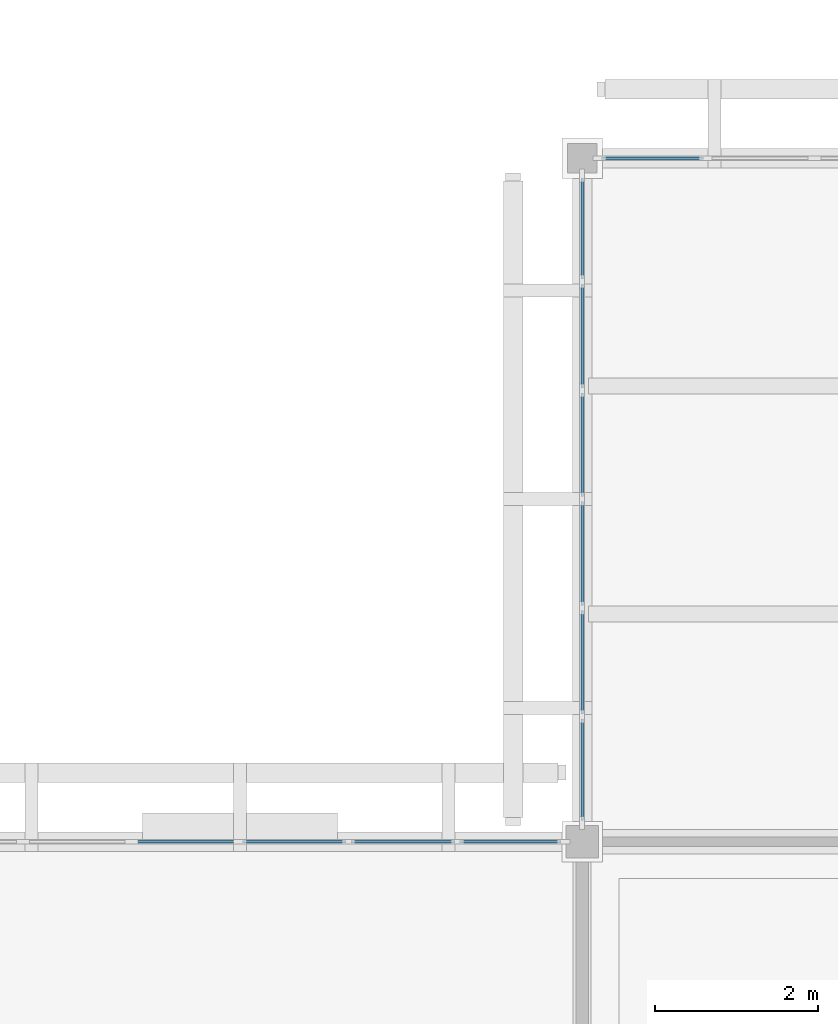
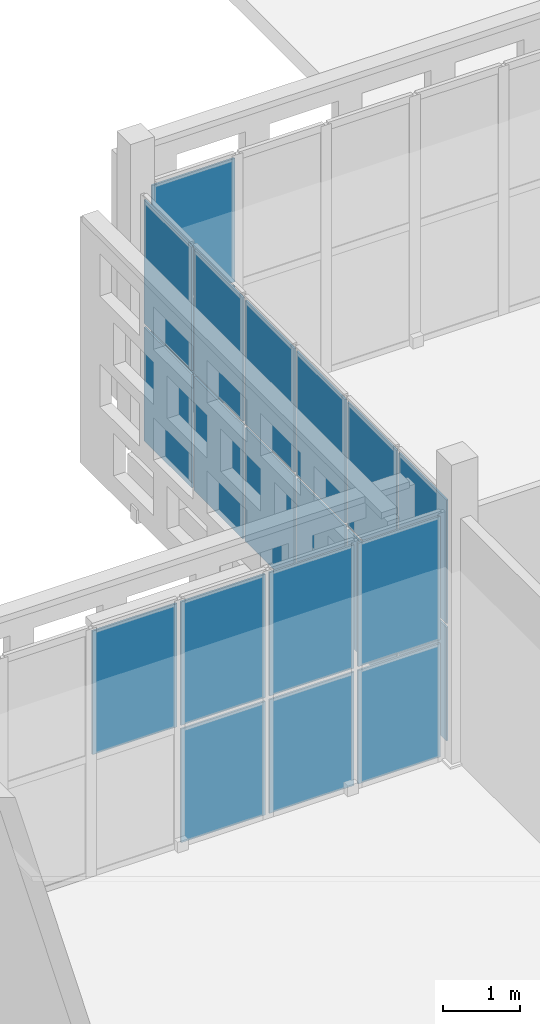
# One storey, part 93 of 203: 21 plates, 3 elements without a shape of their own.
"""IFC4 building model written with IfcOpenShell, lengths in metres."""

from ifc_helpers import new_model, si_unit, direction, frame, origin, origin_2d, place, context, subcontext, project, spatial, rectangle, extrude, material, layer, layer_set, type_object, element, aggregate, save


model = new_model("IFC4")

# Units and contexts
model_context = context("Model", 3, precision=1e-05, world=origin(), true_north=direction((0.0, 1.0)))
body_context = subcontext(model_context, "Body", "Model", "MODEL_VIEW")
ifc_project = project(units=[si_unit("LENGTHUNIT", "METRE"), si_unit("AREAUNIT", "SQUARE_METRE"), si_unit("VOLUMEUNIT", "CUBIC_METRE"), si_unit("PLANEANGLEUNIT", "RADIAN"), si_unit("MASSUNIT", "GRAM", prefix="KILO")], contexts=[model_context])

# Site, building, storey
site_placement = place(None, origin())
site = spatial("IfcSite", under=ifc_project, at=site_placement, CompositionType="ELEMENT")
building_placement = place(site_placement, origin())
building = spatial("IfcBuilding", under=site, at=building_placement, Name="Varnapada Polytechnic", CompositionType="ELEMENT")
storey_placement = place(building_placement, frame((0.0, 0.0, 4.800048828125)))
storey = spatial("IfcBuildingStorey", under=building, at=storey_placement, Name="L01", CompositionType="ELEMENT", Elevation=4.800048828125)

# Curtain wall, plates
ifc_material = material(Name="Double low-E laminated glass", Category="glass")
ifc_layer_1 = layer(ifc_material, 0.159912109375)
ifc_layer_set_1 = layer_set([ifc_layer_1], Name="Double low-E laminated glass")
curtain_wall_type = type_object("IfcCurtainWallType", Name="Curtain Wall CW-01", PredefinedType="NOTDEFINED", material=ifc_layer_set_1)
curtain_wall_1_placement = place(storey_placement, origin())
curtain_wall_1 = element("IfcCurtainWall", 1, at=curtain_wall_1_placement, inside=storey, type_object=curtain_wall_type, Name="L01 unitised curtain wall CW-01 (89)", PredefinedType="NOTDEFINED")
ifc_layer_2 = layer(ifc_material, 0.028076171875)
ifc_layer_set_2 = layer_set([ifc_layer_2], Name="Double low-E laminated glass")
plate_type = type_object("IfcPlateType", Name="Curtain Panel PNL-01", PredefinedType="CURTAIN_PANEL", material=ifc_layer_set_2)
plate_1_placement = place(storey_placement, frame((121.12744140625, 42.0, 1.9306640625), z_axis=(0.0, 0.0, 1.0), x_axis=(1.0, 0.0, 0.0)))
plate_1 = element("IfcPlate", 2, at=plate_1_placement, type_object=plate_type, Name="CW-01 panel 3.2", PredefinedType="CURTAIN_PANEL", context=body_context, shape_type="SweptSolid", body=[
    extrude(rectangle(XDim=1.27490234375, YDim=0.028076171875, at=origin_2d()), origin(), (0.0, 0.0, 1.0), 1.96923828125),
])
plate_2_placement = place(storey_placement, frame((122.46240234375, 42.0, 0.06005859375), z_axis=(0.0, 0.0, 1.0), x_axis=(1.0, 0.0, 0.0)))
plate_2 = element("IfcPlate", 3, at=plate_2_placement, type_object=plate_type, Name="CW-01 panel 4.1", PredefinedType="CURTAIN_PANEL", context=body_context, shape_type="SweptSolid", body=[
    extrude(rectangle(XDim=1.27490234375, YDim=0.028076171875, at=origin_2d()), origin(), (0.0, 0.0, 1.0), 1.810791015625),
])
plate_3_placement = place(storey_placement, frame((122.46240234375, 42.0, 1.9306640625), z_axis=(0.0, 0.0, 1.0), x_axis=(1.0, 0.0, 0.0)))
plate_3 = element("IfcPlate", 4, at=plate_3_placement, type_object=plate_type, Name="CW-01 panel 4.2", PredefinedType="CURTAIN_PANEL", context=body_context, shape_type="SweptSolid", body=[
    extrude(rectangle(XDim=1.27490234375, YDim=0.028076171875, at=origin_2d()), origin(), (0.0, 0.0, 1.0), 1.96923828125),
])
plate_4_placement = place(storey_placement, frame((123.797607421875, 42.0, 0.06005859375), z_axis=(0.0, 0.0, 1.0), x_axis=(1.0, 0.0, 0.0)))
plate_4 = element("IfcPlate", 5, at=plate_4_placement, type_object=plate_type, Name="CW-01 panel 5.1", PredefinedType="CURTAIN_PANEL", context=body_context, shape_type="SweptSolid", body=[
    extrude(rectangle(XDim=1.27490234375, YDim=0.028076171875, at=origin_2d()), origin(), (0.0, 0.0, 1.0), 1.810791015625),
])
plate_5_placement = place(storey_placement, frame((123.797607421875, 42.0, 1.9306640625), z_axis=(0.0, 0.0, 1.0), x_axis=(1.0, 0.0, 0.0)))
plate_5 = element("IfcPlate", 6, at=plate_5_placement, type_object=plate_type, Name="CW-01 panel 5.2", PredefinedType="CURTAIN_PANEL", context=body_context, shape_type="SweptSolid", body=[
    extrude(rectangle(XDim=1.27490234375, YDim=0.028076171875, at=origin_2d()), origin(), (0.0, 0.0, 1.0), 1.96923828125),
])
plate_6_placement = place(storey_placement, frame((125.117431640625, 42.0, 0.06005859375), z_axis=(0.0, 0.0, 1.0), x_axis=(1.0, 0.0, 0.0)))
plate_6 = element("IfcPlate", 7, at=plate_6_placement, type_object=plate_type, Name="CW-01 panel 6.1", PredefinedType="CURTAIN_PANEL", context=body_context, shape_type="SweptSolid", body=[
    extrude(rectangle(XDim=1.2451171875, YDim=0.028076171875, at=origin_2d()), origin(), (0.0, 0.0, 1.0), 1.810791015625),
])
plate_7_placement = place(storey_placement, frame((125.117431640625, 42.0, 1.9306640625), z_axis=(0.0, 0.0, 1.0), x_axis=(1.0, 0.0, 0.0)))
plate_7 = element("IfcPlate", 8, at=plate_7_placement, type_object=plate_type, Name="CW-01 panel 6.2", PredefinedType="CURTAIN_PANEL", context=body_context, shape_type="SweptSolid", body=[
    extrude(rectangle(XDim=1.2451171875, YDim=0.028076171875, at=origin_2d()), origin(), (0.0, 0.0, 1.0), 1.96923828125),
])
aggregate(curtain_wall_1, [plate_1, plate_2, plate_3, plate_4, plate_5, plate_6, plate_7])

curtain_wall_2_placement = place(storey_placement, origin())
curtain_wall_2 = element("IfcCurtainWall", 9, at=curtain_wall_2_placement, inside=storey, type_object=curtain_wall_type, Name="L01 unitised curtain wall CW-01 (94)", PredefinedType="NOTDEFINED")
plate_8_placement = place(storey_placement, frame((126.8642578125, 50.39990234375, 0.06005859375), z_axis=(0.0, 0.0, 1.0), x_axis=(1.0, 0.0, 0.0)))
plate_8 = element("IfcPlate", 10, at=plate_8_placement, type_object=plate_type, Name="CW-01 panel 1.1", PredefinedType="CURTAIN_PANEL", context=body_context, shape_type="SweptSolid", body=[
    extrude(rectangle(XDim=1.248291015625, YDim=0.028076171875, at=origin_2d()), origin(), (0.0, 0.0, 1.0), 1.810791015625),
])
plate_9_placement = place(storey_placement, frame((126.8642578125, 50.39990234375, 1.9306640625), z_axis=(0.0, 0.0, 1.0), x_axis=(1.0, 0.0, 0.0)))
plate_9 = element("IfcPlate", 11, at=plate_9_placement, type_object=plate_type, Name="CW-01 panel 1.2", PredefinedType="CURTAIN_PANEL", context=body_context, shape_type="SweptSolid", body=[
    extrude(rectangle(XDim=1.248291015625, YDim=0.028076171875, at=origin_2d()), origin(), (0.0, 0.0, 1.0), 1.96923828125),
])
aggregate(curtain_wall_2, [plate_8, plate_9])

curtain_wall_3_placement = place(storey_placement, origin())
curtain_wall_3 = element("IfcCurtainWall", 12, at=curtain_wall_3_placement, inside=storey, type_object=curtain_wall_type, Name="L01 unitised curtain wall CW-01 (95)", PredefinedType="NOTDEFINED")
plate_10_placement = place(storey_placement, frame((126.0, 42.88330078125, 0.06005859375), z_axis=(0.0, 0.0, 1.0), x_axis=(0.0, 1.0, 0.0)))
plate_10 = element("IfcPlate", 13, at=plate_10_placement, type_object=plate_type, Name="CW-01 panel 1.1", PredefinedType="CURTAIN_PANEL", context=body_context, shape_type="SweptSolid", body=[
    extrude(rectangle(XDim=1.24658203125, YDim=0.028076171875, at=origin_2d()), origin(), (0.0, 0.0, 1.0), 1.810791015625),
])
plate_11_placement = place(storey_placement, frame((126.0, 42.88330078125, 1.9306640625), z_axis=(0.0, 0.0, 1.0), x_axis=(0.0, 1.0, 0.0)))
plate_11 = element("IfcPlate", 14, at=plate_11_placement, type_object=plate_type, Name="CW-01 panel 1.2", PredefinedType="CURTAIN_PANEL", context=body_context, shape_type="SweptSolid", body=[
    extrude(rectangle(XDim=1.24658203125, YDim=0.028076171875, at=origin_2d()), origin(), (0.0, 0.0, 1.0), 1.96923828125),
])
plate_12_placement = place(storey_placement, frame((126.0, 44.205078125, 0.06005859375), z_axis=(0.0, 0.0, 1.0), x_axis=(0.0, 1.0, 0.0)))
plate_12 = element("IfcPlate", 15, at=plate_12_placement, type_object=plate_type, Name="CW-01 panel 2.1", PredefinedType="CURTAIN_PANEL", context=body_context, shape_type="SweptSolid", body=[
    extrude(rectangle(XDim=1.276611328125, YDim=0.028076171875, at=origin_2d()), origin(), (0.0, 0.0, 1.0), 1.810791015625),
])
plate_13_placement = place(storey_placement, frame((126.0, 44.205078125, 1.9306640625), z_axis=(0.0, 0.0, 1.0), x_axis=(0.0, 1.0, 0.0)))
plate_13 = element("IfcPlate", 16, at=plate_13_placement, type_object=plate_type, Name="CW-01 panel 2.2", PredefinedType="CURTAIN_PANEL", context=body_context, shape_type="SweptSolid", body=[
    extrude(rectangle(XDim=1.276611328125, YDim=0.028076171875, at=origin_2d()), origin(), (0.0, 0.0, 1.0), 1.96923828125),
])
plate_14_placement = place(storey_placement, frame((126.0, 45.541748046875, 0.06005859375), z_axis=(0.0, 0.0, 1.0), x_axis=(0.0, 1.0, 0.0)))
plate_14 = element("IfcPlate", 17, at=plate_14_placement, type_object=plate_type, Name="CW-01 panel 3.1", PredefinedType="CURTAIN_PANEL", context=body_context, shape_type="SweptSolid", body=[
    extrude(rectangle(XDim=1.276611328125, YDim=0.028076171875, at=origin_2d()), origin(), (0.0, 0.0, 1.0), 1.810791015625),
])
plate_15_placement = place(storey_placement, frame((126.0, 45.541748046875, 1.9306640625), z_axis=(0.0, 0.0, 1.0), x_axis=(0.0, 1.0, 0.0)))
plate_15 = element("IfcPlate", 18, at=plate_15_placement, type_object=plate_type, Name="CW-01 panel 3.2", PredefinedType="CURTAIN_PANEL", context=body_context, shape_type="SweptSolid", body=[
    extrude(rectangle(XDim=1.276611328125, YDim=0.028076171875, at=origin_2d()), origin(), (0.0, 0.0, 1.0), 1.96923828125),
])
plate_16_placement = place(storey_placement, frame((126.0, 46.87841796875, 0.06005859375), z_axis=(0.0, 0.0, 1.0), x_axis=(0.0, 1.0, 0.0)))
plate_16 = element("IfcPlate", 19, at=plate_16_placement, type_object=plate_type, Name="CW-01 panel 4.1", PredefinedType="CURTAIN_PANEL", context=body_context, shape_type="SweptSolid", body=[
    extrude(rectangle(XDim=1.276611328125, YDim=0.028076171875, at=origin_2d()), origin(), (0.0, 0.0, 1.0), 1.810791015625),
])
plate_17_placement = place(storey_placement, frame((126.0, 46.87841796875, 1.9306640625), z_axis=(0.0, 0.0, 1.0), x_axis=(0.0, 1.0, 0.0)))
plate_17 = element("IfcPlate", 20, at=plate_17_placement, type_object=plate_type, Name="CW-01 panel 4.2", PredefinedType="CURTAIN_PANEL", context=body_context, shape_type="SweptSolid", body=[
    extrude(rectangle(XDim=1.276611328125, YDim=0.028076171875, at=origin_2d()), origin(), (0.0, 0.0, 1.0), 1.96923828125),
])
plate_18_placement = place(storey_placement, frame((126.0, 48.215087890625, 0.06005859375), z_axis=(0.0, 0.0, 1.0), x_axis=(0.0, 1.0, 0.0)))
plate_18 = element("IfcPlate", 21, at=plate_18_placement, type_object=plate_type, Name="CW-01 panel 5.1", PredefinedType="CURTAIN_PANEL", context=body_context, shape_type="SweptSolid", body=[
    extrude(rectangle(XDim=1.276611328125, YDim=0.028076171875, at=origin_2d()), origin(), (0.0, 0.0, 1.0), 1.810791015625),
])
plate_19_placement = place(storey_placement, frame((126.0, 48.215087890625, 1.9306640625), z_axis=(0.0, 0.0, 1.0), x_axis=(0.0, 1.0, 0.0)))
plate_19 = element("IfcPlate", 22, at=plate_19_placement, type_object=plate_type, Name="CW-01 panel 5.2", PredefinedType="CURTAIN_PANEL", context=body_context, shape_type="SweptSolid", body=[
    extrude(rectangle(XDim=1.276611328125, YDim=0.028076171875, at=origin_2d()), origin(), (0.0, 0.0, 1.0), 1.96923828125),
])
plate_20_placement = place(storey_placement, frame((126.0, 49.53662109375, 0.06005859375), z_axis=(0.0, 0.0, 1.0), x_axis=(0.0, 1.0, 0.0)))
plate_20 = element("IfcPlate", 23, at=plate_20_placement, type_object=plate_type, Name="CW-01 panel 6.1", PredefinedType="CURTAIN_PANEL", context=body_context, shape_type="SweptSolid", body=[
    extrude(rectangle(XDim=1.24658203125, YDim=0.028076171875, at=origin_2d()), origin(), (0.0, 0.0, 1.0), 1.810791015625),
])
plate_21_placement = place(storey_placement, frame((126.0, 49.53662109375, 1.9306640625), z_axis=(0.0, 0.0, 1.0), x_axis=(0.0, 1.0, 0.0)))
plate_21 = element("IfcPlate", 24, at=plate_21_placement, type_object=plate_type, Name="CW-01 panel 6.2", PredefinedType="CURTAIN_PANEL", context=body_context, shape_type="SweptSolid", body=[
    extrude(rectangle(XDim=1.24658203125, YDim=0.028076171875, at=origin_2d()), origin(), (0.0, 0.0, 1.0), 1.96923828125),
])
aggregate(curtain_wall_3, [plate_10, plate_11, plate_12, plate_13, plate_14, plate_15, plate_16, plate_17, plate_18, plate_19, plate_20, plate_21])

save(model, "model.ifc")
